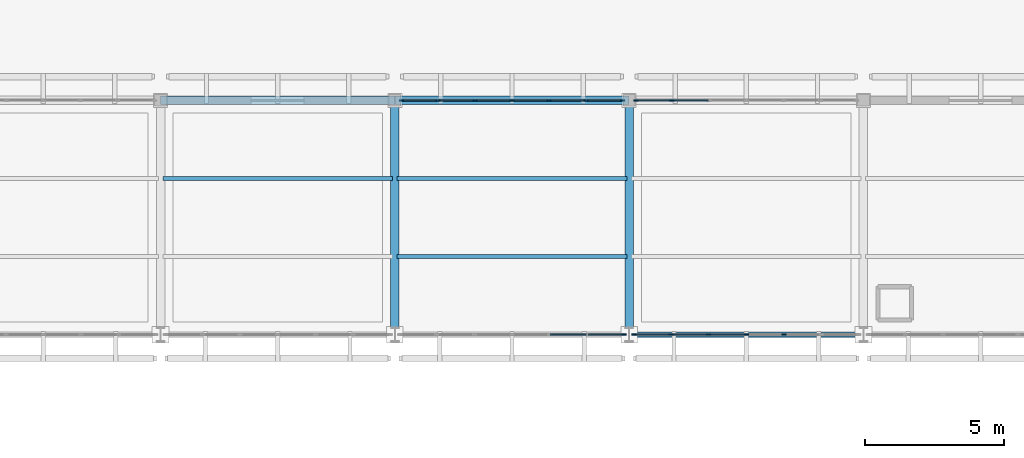
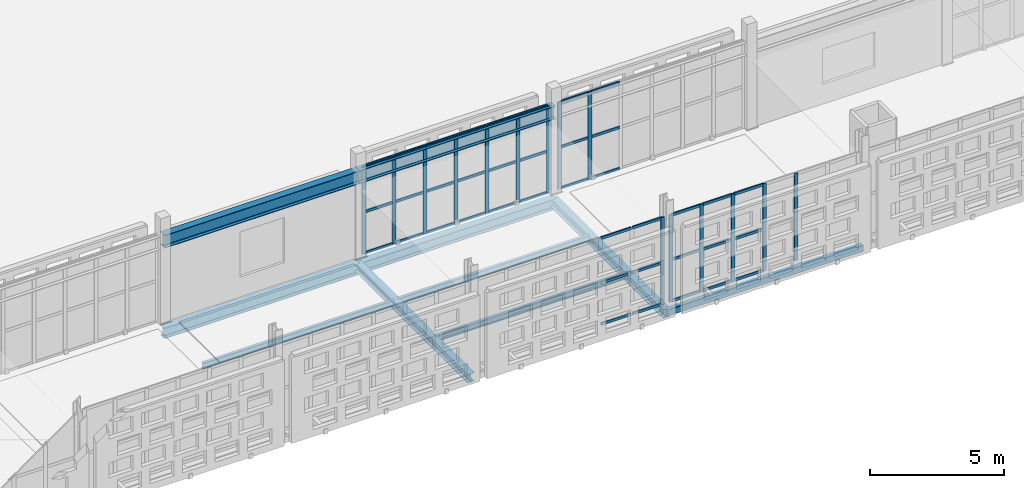
# One storey, part 54 of 203: 54 members, 10 beams, 4 elements without a shape of their own.
"""IFC4 building model written with IfcOpenShell, lengths in metres."""

import ifcopenshell
import ifcopenshell.guid

model = None  # the IFC model being written
_history = None  # IfcOwnerHistory: only IFC2X3 demands one
_inside = {}  # id of a spatial element -> (the spatial element, [elements in it])
_under = {}  # id of a project, library or spatial element -> (it, [spatial elements below it])
_declared = {}  # id of a project -> (the project, [libraries it declares])
_typed = {}  # id of a type object -> (the type object, [elements of that type])
_made_of = {}  # id of a material, layer set ... -> (it, [elements and type objects made of it])


def new_model(schema):
    """Start an empty IFC model of exactly this schema.

    Asked for "IFC4X3", IfcOpenShell would pick the latest addendum, in which some entities
    have other attributes; the version numbers below select the first issue.
    IFC2X3 requires an IfcOwnerHistory on every rooted entity: one is made here for all.
    """
    global model, _history
    if schema == "IFC4X3":
        model = ifcopenshell.file(schema_version=(4, 3, 0, 0))
    else:
        model = ifcopenshell.file(schema=schema)
    _inside.clear()
    _under.clear()
    _declared.clear()
    _typed.clear()
    _made_of.clear()
    _history = None
    if model.schema == "IFC2X3":
        org = make("IfcOrganization", Name="unknown")
        user = make(
            "IfcPersonAndOrganization",
            ThePerson=make("IfcPerson", FamilyName="unknown"),
            TheOrganization=org,
        )
        app = make(
            "IfcApplication",
            ApplicationDeveloper=org,
            Version="unknown",
            ApplicationFullName="unknown",
            ApplicationIdentifier="unknown",
        )
        _history = make(
            "IfcOwnerHistory",
            OwningUser=user,
            OwningApplication=app,
            ChangeAction="ADDED",
            CreationDate=0,
        )
    return model


def make(cls, **values):
    """One entity of the class cls with the attributes given. An attribute that is None is left unset."""
    return model.create_entity(
        cls, **{name: value for name, value in values.items() if value is not None}
    )


def rooted(cls, **values):
    """An entity with a GlobalId (a new one), such as an element, a storey or a relation."""
    return make(cls, GlobalId=ifcopenshell.guid.new(), OwnerHistory=_history, **values)


def si_unit(unit_type, name, prefix=None):
    """IfcSIUnit, for example si_unit("LENGTHUNIT", "METRE", prefix="MILLI")."""
    return make("IfcSIUnit", UnitType=unit_type, Prefix=prefix, Name=name)


def assignment(units):
    """IfcUnitAssignment: the units of a project."""
    return None if units is None else make("IfcUnitAssignment", Units=units)


def point(xyz):
    """IfcCartesianPoint."""
    return None if xyz is None else make("IfcCartesianPoint", Coordinates=xyz)


def direction(xyz):
    """IfcDirection."""
    return None if xyz is None else make("IfcDirection", DirectionRatios=xyz)


def frame(location, z_axis=None, x_axis=None):
    """IfcAxis2Placement3D, a coordinate frame: its origin and axes. An axis left out is left unset."""
    return make(
        "IfcAxis2Placement3D",
        Location=point(location),
        Axis=direction(z_axis),
        RefDirection=direction(x_axis),
    )


def frame_2d(location, x_axis=None):
    """IfcAxis2Placement2D, a coordinate frame in the plane: its origin and x axis."""
    return make(
        "IfcAxis2Placement2D", Location=point(location), RefDirection=direction(x_axis)
    )


def origin():
    """The frame at (0, 0, 0) with its axes left unset."""
    return frame((0.0, 0.0, 0.0))


def origin_2d():
    """The frame at (0, 0) in the plane with its x axis left unset."""
    return frame_2d((0.0, 0.0))


def place(relative_to, where):
    """IfcLocalPlacement: puts the frame where relative to a parent placement (None: the world)."""
    return make(
        "IfcLocalPlacement", PlacementRelTo=relative_to, RelativePlacement=where
    )


def context(
    kind, dimensions, precision=None, world=None, true_north=None, identifier=None
):
    """IfcGeometricRepresentationContext, for example the 3D "Model" context."""
    return make(
        "IfcGeometricRepresentationContext",
        ContextIdentifier=identifier,
        ContextType=kind,
        CoordinateSpaceDimension=dimensions,
        Precision=precision,
        WorldCoordinateSystem=world,
        TrueNorth=true_north,
    )


def subcontext(parent, identifier, kind, view, scale=None):
    """IfcGeometricRepresentationSubContext, for example "Body" below "Model"."""
    return make(
        "IfcGeometricRepresentationSubContext",
        ContextIdentifier=identifier,
        ContextType=kind,
        ParentContext=parent,
        TargetScale=scale,
        TargetView=view,
    )


def project(units=None, contexts=None):
    """IfcProject with its units and contexts."""
    return rooted(
        "IfcProject",
        Name="project",
        RepresentationContexts=contexts,
        UnitsInContext=assignment(units),
    )


def spatial(cls, under=None, at=None, **own):
    """A site, building, storey or space (cls), placed at a placement, below another one or the project."""
    s = rooted(cls, ObjectPlacement=at, **own)
    if under is not None:
        _under.setdefault(under.id(), (under, []))[1].append(s)
    return s


def profile(cls, at=None, kind="AREA", **sizes):
    """A parametric profile (cls). Its sizes go by their IFC names, for example OverallWidth=200.0."""
    return make(cls, ProfileType=kind, Position=at, **sizes)


def rectangle(**sizes):
    """IfcRectangleProfileDef."""
    return profile("IfcRectangleProfileDef", **sizes)


def hollow_rectangle(**sizes):
    """IfcRectangleHollowProfileDef."""
    return profile("IfcRectangleHollowProfileDef", **sizes)


def i_section(**sizes):
    """IfcIShapeProfileDef."""
    return profile("IfcIShapeProfileDef", **sizes)


def extrude(swept, where, along, depth):
    """IfcExtrudedAreaSolid: the profile swept, set in the frame where, extruded along a direction by depth."""
    return make(
        "IfcExtrudedAreaSolid",
        SweptArea=swept,
        Position=where,
        ExtrudedDirection=direction(along),
        Depth=depth,
    )


def shape(context_of_items, identifier, shape_type, items):
    """IfcShapeRepresentation: the items that make up one representation, for example the "Body"."""
    return make(
        "IfcShapeRepresentation",
        ContextOfItems=context_of_items,
        RepresentationIdentifier=identifier,
        RepresentationType=shape_type,
        Items=items,
    )


def material(Name=None, Category=None):
    """IfcMaterial."""
    return make("IfcMaterial", Name=Name, Category=Category)


def layer(
    of_material, thickness, ventilated=None, Name=None, Category=None, Priority=None
):
    """IfcMaterialLayer: one layer of a wall or slab, of a material (None: an air gap)."""
    return make(
        "IfcMaterialLayer",
        Material=of_material,
        LayerThickness=thickness,
        IsVentilated=ventilated,
        Name=Name,
        Category=Category,
        Priority=Priority,
    )


def layer_set(layers, Name=None):
    """IfcMaterialLayerSet."""
    return make("IfcMaterialLayerSet", MaterialLayers=layers, LayerSetName=Name)


def material_profile(
    of_material, cross_section, Name=None, Category=None, Priority=None
):
    """IfcMaterialProfile: a cross section and its material."""
    return make(
        "IfcMaterialProfile",
        Name=Name,
        Material=of_material,
        Profile=cross_section,
        Priority=Priority,
        Category=Category,
    )


def profile_set(profiles, Name=None, composite=None):
    """IfcMaterialProfileSet."""
    return make(
        "IfcMaterialProfileSet",
        Name=Name,
        MaterialProfiles=profiles,
        CompositeProfile=composite,
    )


def made_of(thing, what):
    """Note that an element or type object is made of a material, layer set ...; save() writes the relation."""
    if what is not None:
        _made_of.setdefault(what.id(), (what, []))[1].append(thing)
    return thing


def type_object(cls, material=None, **own):
    """A type object (cls), such as IfcWallType, which elements share."""
    return made_of(rooted(cls, **own), material)


def element(
    cls,
    number,
    at=None,
    inside=None,
    cuts=None,
    type_object=None,
    material=None,
    context=None,
    identifier="Body",
    shape_type=None,
    held_by="IfcProductDefinitionShape",
    body=None,
    shapes=None,
    **own,
):
    """One element of the class cls, such as IfcWall. Its Tag is "e" and its number.

    at: its placement. inside: the storey or other place that contains it. cuts: it is an
    opening in that element (IfcRelVoidsElement). A single representation is given by context,
    identifier, shape_type and body (its items); several are given by shapes. held_by: the class
    of the entity that holds the representations. save() writes the other relations.
    """
    e = rooted(cls, Tag="e%d" % number, ObjectPlacement=at, **own)
    if body is not None:
        shapes = [shape(context, identifier, shape_type, body)]
    if shapes is not None:
        e.Representation = make(held_by, Representations=shapes)
    if inside is not None:
        _inside.setdefault(inside.id(), (inside, []))[1].append(e)
    if cuts is not None:
        rooted(
            "IfcRelVoidsElement", RelatingBuildingElement=cuts, RelatedOpeningElement=e
        )
    if type_object is not None:
        _typed.setdefault(type_object.id(), (type_object, []))[1].append(e)
    return made_of(e, material)


def aggregate(whole, parts):
    """IfcRelAggregates: a whole, such as a stair, and the parts it consists of."""
    return rooted("IfcRelAggregates", RelatingObject=whole, RelatedObjects=parts)


def save(model, path):
    """Write the relations noted so far, then the file.

    IfcRelAggregates (storeys below a building ...), IfcRelContainedInSpatialStructure (elements
    in a storey), IfcRelDefinesByType, IfcRelAssociatesMaterial and IfcRelDeclares: one each for
    every whole, place, type object, material and project.
    """
    for whole, parts in _under.values():
        aggregate(whole, parts)
    for where, things in _inside.values():
        rooted(
            "IfcRelContainedInSpatialStructure",
            RelatedElements=things,
            RelatingStructure=where,
        )
    for kind, things in _typed.values():
        rooted("IfcRelDefinesByType", RelatedObjects=things, RelatingType=kind)
    for what, things in _made_of.values():
        rooted("IfcRelAssociatesMaterial", RelatedObjects=things, RelatingMaterial=what)
    for by, libraries in _declared.values():
        rooted("IfcRelDeclares", RelatingContext=by, RelatedDefinitions=libraries)
    model.write(path)


model = new_model("IFC4")

# Units and contexts
model_context = context("Model", 3, precision=1e-05, world=origin(), true_north=direction((0.0, 1.0)))
body_context = subcontext(model_context, "Body", "Model", "MODEL_VIEW")
ifc_project = project(units=[si_unit("LENGTHUNIT", "METRE"), si_unit("AREAUNIT", "SQUARE_METRE"), si_unit("VOLUMEUNIT", "CUBIC_METRE"), si_unit("PLANEANGLEUNIT", "RADIAN"), si_unit("MASSUNIT", "GRAM", prefix="KILO")], contexts=[model_context])

# Site, building, storey
site_placement = place(None, origin())
site = spatial("IfcSite", under=ifc_project, at=site_placement, CompositionType="ELEMENT")
building_placement = place(site_placement, origin())
building = spatial("IfcBuilding", under=site, at=building_placement, Name="Varnapada Polytechnic", CompositionType="ELEMENT")
storey_placement = place(building_placement, frame((0.0, 0.0, 4.800048828125)))
storey = spatial("IfcBuildingStorey", under=building, at=storey_placement, Name="L01", CompositionType="ELEMENT", Elevation=4.800048828125)

# Beams
ifc_material_1 = material(Name="Steel S355", Category="steel")
ifc_material_profile_1 = material_profile(ifc_material_1, i_section(OverallWidth=0.135009765625, OverallDepth=0.27001953125, WebThickness=0.006591796875, FlangeThickness=0.01025390625, FilletRadius=0.014892578125, at=origin_2d()), Name="IPE 270")
ifc_profile_set_1 = profile_set([ifc_material_profile_1], Name="Steel S355")
beam_type_1 = type_object("IfcBeamType", Name="Mezzanine heavy steel joist SJ-03 (IPE 270)", PredefinedType="JOIST", material=ifc_profile_set_1)
for number, where, z_axis, x_axis, name in (
    (1, (75.679931640625, 89.60009765625, -0.39501953125), (1.0, 0.0, 0.0), (0.0, 1.0, 0.0), "L01 floor joist 10/11.2"),
    (2, (84.080078125, 86.800048828125, -0.39501953125), (1.0, 0.0, 0.0), (0.0, 1.0, 0.0), "L01 floor joist 11/11.1"),
    (3, (84.080078125, 89.60009765625, -0.39501953125), (1.0, 0.0, 0.0), (0.0, 1.0, 0.0), "L01 floor joist 11/11.2"),
):
    element("IfcBeam", number, at=place(storey_placement, frame(where, z_axis=z_axis, x_axis=x_axis)), inside=storey, type_object=beam_type_1, Name=name, PredefinedType="JOIST", context=body_context, shape_type="SweptSolid", body=[
        extrude(i_section(OverallWidth=0.135009765625, OverallDepth=0.27001953125, WebThickness=0.006591796875, FlangeThickness=0.01025390625, FilletRadius=0.014892578125, at=origin_2d()), origin(), (0.0, 0.0, 1.0), 8.239990234375),
    ])

# Curtain wall, member
ifc_material_2 = material(Name="Double low-E laminated glass", Category="glass")
ifc_layer_1 = layer(ifc_material_2, 0.159912109375)
ifc_layer_set_1 = layer_set([ifc_layer_1], Name="Double low-E laminated glass")
curtain_wall_type_1 = type_object("IfcCurtainWallType", Name="Curtain Wall CW-01", PredefinedType="NOTDEFINED", material=ifc_layer_set_1)
curtain_wall_1_placement = place(storey_placement, origin())
curtain_wall_1 = element("IfcCurtainWall", 4, at=curtain_wall_1_placement, inside=storey, type_object=curtain_wall_type_1, Name="L01 unitised curtain wall CW-01 (71)", PredefinedType="NOTDEFINED")
ifc_material_3 = material(Name="Anodised aluminium", Category="aluminium")
ifc_material_profile_2 = material_profile(ifc_material_3, rectangle(XDim=0.06005859375, YDim=0.159912109375, at=origin_2d()), Name="ALU M60x160")
ifc_profile_set_2 = profile_set([ifc_material_profile_2], Name="Anodised aluminium")
member_type_1 = type_object("IfcMemberType", Name="Mullion M-01", PredefinedType="MULLION", material=ifc_profile_set_2)
member_1_placement = place(storey_placement, frame((92.219970703125, 84.0, 0.0), z_axis=(0.0, 0.0, 1.0), x_axis=(0.0, -1.0, 0.0)))
member_1 = element("IfcMember", 5, at=member_1_placement, type_object=member_type_1, Name="CW-01 mullion 1", PredefinedType="MULLION", context=body_context, shape_type="SweptSolid", body=[
    extrude(rectangle(XDim=0.06005859375, YDim=0.159912109375, at=origin_2d()), origin(), (0.0, 0.0, 1.0), 3.9599609375),
])

# Curtain wall, members
ifc_layer_2 = layer(ifc_material_2, 0.159912109375)
ifc_layer_set_2 = layer_set([ifc_layer_2], Name="Double low-E laminated glass")
curtain_wall_type_2 = type_object("IfcCurtainWallType", Name="Curtain Wall CW-02", PredefinedType="NOTDEFINED", material=ifc_layer_set_2)
curtain_wall_2_placement = place(storey_placement, origin())
curtain_wall_2 = element("IfcCurtainWall", 6, at=curtain_wall_2_placement, inside=storey, type_object=curtain_wall_type_2, Name="L01 unitised curtain wall CW-02 (72)", PredefinedType="NOTDEFINED")
member_2_placement = place(storey_placement, frame((84.239990234375, 92.39990234375, 0.0), z_axis=(0.0, 0.0, 1.0), x_axis=(0.0, 1.0, 0.0)))
member_2 = element("IfcMember", 7, at=member_2_placement, type_object=member_type_1, Name="CW-02 mullion 1", PredefinedType="MULLION", context=body_context, shape_type="SweptSolid", body=[
    extrude(rectangle(XDim=0.06005859375, YDim=0.159912109375, at=origin_2d()), origin(), (0.0, 0.0, 1.0), 3.9599609375),
])
member_3_placement = place(storey_placement, frame((85.5400390625, 92.39990234375, 0.0), z_axis=(0.0, 0.0, 1.0), x_axis=(0.0, 1.0, 0.0)))
member_3 = element("IfcMember", 8, at=member_3_placement, type_object=member_type_1, Name="CW-02 mullion 2", PredefinedType="MULLION", context=body_context, shape_type="SweptSolid", body=[
    extrude(rectangle(XDim=0.06005859375, YDim=0.159912109375, at=origin_2d()), origin(), (0.0, 0.0, 1.0), 3.9599609375),
])
member_4_placement = place(storey_placement, frame((86.8701171875, 92.39990234375, 0.0), z_axis=(0.0, 0.0, 1.0), x_axis=(0.0, 1.0, 0.0)))
member_4 = element("IfcMember", 9, at=member_4_placement, type_object=member_type_1, Name="CW-02 mullion 3", PredefinedType="MULLION", context=body_context, shape_type="SweptSolid", body=[
    extrude(rectangle(XDim=0.06005859375, YDim=0.159912109375, at=origin_2d()), origin(), (0.0, 0.0, 1.0), 3.9599609375),
])
member_5_placement = place(storey_placement, frame((88.199951171875, 92.39990234375, 0.0), z_axis=(0.0, 0.0, 1.0), x_axis=(0.0, 1.0, 0.0)))
member_5 = element("IfcMember", 10, at=member_5_placement, type_object=member_type_1, Name="CW-02 mullion 4", PredefinedType="MULLION", context=body_context, shape_type="SweptSolid", body=[
    extrude(rectangle(XDim=0.06005859375, YDim=0.159912109375, at=origin_2d()), origin(), (0.0, 0.0, 1.0), 3.9599609375),
])
member_6_placement = place(storey_placement, frame((89.530029296875, 92.39990234375, 0.0), z_axis=(0.0, 0.0, 1.0), x_axis=(0.0, 1.0, 0.0)))
member_6 = element("IfcMember", 11, at=member_6_placement, type_object=member_type_1, Name="CW-02 mullion 5", PredefinedType="MULLION", context=body_context, shape_type="SweptSolid", body=[
    extrude(rectangle(XDim=0.06005859375, YDim=0.159912109375, at=origin_2d()), origin(), (0.0, 0.0, 1.0), 3.9599609375),
])
member_7_placement = place(storey_placement, frame((90.860107421875, 92.39990234375, 0.0), z_axis=(0.0, 0.0, 1.0), x_axis=(0.0, 1.0, 0.0)))
member_7 = element("IfcMember", 12, at=member_7_placement, type_object=member_type_1, Name="CW-02 mullion 6", PredefinedType="MULLION", context=body_context, shape_type="SweptSolid", body=[
    extrude(rectangle(XDim=0.06005859375, YDim=0.159912109375, at=origin_2d()), origin(), (0.0, 0.0, 1.0), 3.9599609375),
])
member_8_placement = place(storey_placement, frame((92.159912109375, 92.39990234375, 0.0), z_axis=(0.0, 0.0, 1.0), x_axis=(0.0, 1.0, 0.0)))
member_8 = element("IfcMember", 13, at=member_8_placement, type_object=member_type_1, Name="CW-02 mullion 7", PredefinedType="MULLION", context=body_context, shape_type="SweptSolid", body=[
    extrude(rectangle(XDim=0.06005859375, YDim=0.159912109375, at=origin_2d()), origin(), (0.0, 0.0, 1.0), 3.9599609375),
])

curtain_wall_3_placement = place(storey_placement, origin())
curtain_wall_3 = element("IfcCurtainWall", 14, at=curtain_wall_3_placement, inside=storey, type_object=curtain_wall_type_1, Name="L01 unitised curtain wall CW-01 (76)", PredefinedType="NOTDEFINED")
member_9_placement = place(storey_placement, frame((97.949951171875, 84.0, 0.0), z_axis=(0.0, 0.0, 1.0), x_axis=(0.0, -1.0, 0.0)))
member_9 = element("IfcMember", 15, at=member_9_placement, type_object=member_type_1, Name="CW-01 mullion 3", PredefinedType="MULLION", context=body_context, shape_type="SweptSolid", body=[
    extrude(rectangle(XDim=0.06005859375, YDim=0.159912109375, at=origin_2d()), origin(), (0.0, 0.0, 1.0), 3.9599609375),
])
member_10_placement = place(storey_placement, frame((96.60009765625, 84.0, 0.0), z_axis=(0.0, 0.0, 1.0), x_axis=(0.0, -1.0, 0.0)))
member_10 = element("IfcMember", 16, at=member_10_placement, type_object=member_type_1, Name="CW-01 mullion 4", PredefinedType="MULLION", context=body_context, shape_type="SweptSolid", body=[
    extrude(rectangle(XDim=0.06005859375, YDim=0.159912109375, at=origin_2d()), origin(), (0.0, 0.0, 1.0), 3.9599609375),
])
member_11_placement = place(storey_placement, frame((95.25, 84.0, 0.0), z_axis=(0.0, 0.0, 1.0), x_axis=(0.0, -1.0, 0.0)))
member_11 = element("IfcMember", 17, at=member_11_placement, type_object=member_type_1, Name="CW-01 mullion 5", PredefinedType="MULLION", context=body_context, shape_type="SweptSolid", body=[
    extrude(rectangle(XDim=0.06005859375, YDim=0.159912109375, at=origin_2d()), origin(), (0.0, 0.0, 1.0), 3.9599609375),
])
member_12_placement = place(storey_placement, frame((93.89990234375, 84.0, 0.0), z_axis=(0.0, 0.0, 1.0), x_axis=(0.0, -1.0, 0.0)))
member_12 = element("IfcMember", 18, at=member_12_placement, type_object=member_type_1, Name="CW-01 mullion 6", PredefinedType="MULLION", context=body_context, shape_type="SweptSolid", body=[
    extrude(rectangle(XDim=0.06005859375, YDim=0.159912109375, at=origin_2d()), origin(), (0.0, 0.0, 1.0), 3.9599609375),
])
member_13_placement = place(storey_placement, frame((92.580078125, 84.0, 0.0), z_axis=(0.0, 0.0, 1.0), x_axis=(0.0, -1.0, 0.0)))
member_13 = element("IfcMember", 19, at=member_13_placement, type_object=member_type_1, Name="CW-01 mullion 7", PredefinedType="MULLION", context=body_context, shape_type="SweptSolid", body=[
    extrude(rectangle(XDim=0.06005859375, YDim=0.159912109375, at=origin_2d()), origin(), (0.0, 0.0, 1.0), 3.9599609375),
])

curtain_wall_4_placement = place(storey_placement, origin())
curtain_wall_4 = element("IfcCurtainWall", 20, at=curtain_wall_4_placement, inside=storey, type_object=curtain_wall_type_2, Name="L01 unitised curtain wall CW-02 (77)", PredefinedType="NOTDEFINED")
member_14_placement = place(storey_placement, frame((92.639892578125, 92.39990234375, 0.0), z_axis=(0.0, 0.0, 1.0), x_axis=(0.0, 1.0, 0.0)))
member_14 = element("IfcMember", 21, at=member_14_placement, type_object=member_type_1, Name="CW-02 mullion 1", PredefinedType="MULLION", context=body_context, shape_type="SweptSolid", body=[
    extrude(rectangle(XDim=0.06005859375, YDim=0.159912109375, at=origin_2d()), origin(), (0.0, 0.0, 1.0), 3.9599609375),
])
member_15_placement = place(storey_placement, frame((93.93994140625, 92.39990234375, 0.0), z_axis=(0.0, 0.0, 1.0), x_axis=(0.0, 1.0, 0.0)))
member_15 = element("IfcMember", 22, at=member_15_placement, type_object=member_type_1, Name="CW-02 mullion 2", PredefinedType="MULLION", context=body_context, shape_type="SweptSolid", body=[
    extrude(rectangle(XDim=0.06005859375, YDim=0.159912109375, at=origin_2d()), origin(), (0.0, 0.0, 1.0), 3.9599609375),
])

# Beams
ifc_material_profile_3 = material_profile(ifc_material_1, i_section(OverallWidth=0.300048828125, OverallDepth=0.389892578125, WebThickness=0.010986328125, FlangeThickness=0.01904296875, FilletRadius=0.027099609375, at=origin_2d()), Name="HEA 400")
ifc_profile_set_3 = profile_set([ifc_material_profile_3], Name="Steel S355")
beam_type_2 = type_object("IfcBeamType", Name="Steel roof primary girder SG-01 (HEA 400)", PredefinedType="BEAM", material=ifc_profile_set_3)
for number, where, z_axis, x_axis, name in (
    (23, (84.0, 84.0, -0.465087890625), (0.0, 1.0, 0.0), (-1.0, 0.0, 0.0), "L01 beam Y 11-12 at X11"),
    (24, (92.39990234375, 84.0, -0.465087890625), (0.0, 1.0, 0.0), (-1.0, 0.0, 0.0), "L01 beam Y 11-12 at X12"),
):
    element("IfcBeam", number, at=place(storey_placement, frame(where, z_axis=z_axis, x_axis=x_axis)), inside=storey, type_object=beam_type_2, Name=name, PredefinedType="BEAM", context=body_context, shape_type="SweptSolid", body=[
        extrude(i_section(OverallWidth=0.300048828125, OverallDepth=0.389892578125, WebThickness=0.010986328125, FlangeThickness=0.01904296875, FilletRadius=0.027099609375, at=origin_2d()), origin(), (0.0, 0.0, 1.0), 8.39990234375),
    ])

# Member
ifc_material_profile_4 = material_profile(ifc_material_3, rectangle(XDim=0.06005859375, YDim=0.1201171875, at=origin_2d()), Name="ALU T60x120")
ifc_profile_set_4 = profile_set([ifc_material_profile_4], Name="Anodised aluminium")
member_type_2 = type_object("IfcMemberType", Name="Transom T-01", PredefinedType="USERDEFINED", material=ifc_profile_set_4)
member_16_placement = place(storey_placement, frame((92.18994140625, 84.0, 0.030029296875), z_axis=(-1.0, 0.0, 0.0), x_axis=(0.0, -1.0, 0.0)))
member_16 = element("IfcMember", 25, at=member_16_placement, type_object=member_type_2, Name="CW-01 transom 1.1", ObjectType="TRANSOM", PredefinedType="USERDEFINED", context=body_context, shape_type="SweptSolid", body=[
    extrude(rectangle(XDim=0.06005859375, YDim=0.1201171875, at=origin_2d()), origin(), (0.0, 0.0, 1.0), 1.260009765625),
])

member_17_placement = place(storey_placement, frame((92.18994140625, 84.0, 1.900634765625), z_axis=(-1.0, 0.0, 0.0), x_axis=(0.0, -1.0, 0.0)))
member_17 = element("IfcMember", 26, at=member_17_placement, type_object=member_type_2, Name="CW-01 transom 1.2", ObjectType="TRANSOM", PredefinedType="USERDEFINED", context=body_context, shape_type="SweptSolid", body=[
    extrude(rectangle(XDim=0.06005859375, YDim=0.1201171875, at=origin_2d()), origin(), (0.0, 0.0, 1.0), 1.260009765625),
])

member_18_placement = place(storey_placement, frame((92.18994140625, 84.0, 3.929931640625), z_axis=(-1.0, 0.0, 0.0), x_axis=(0.0, -1.0, 0.0)))
member_18 = element("IfcMember", 27, at=member_18_placement, type_object=member_type_2, Name="CW-01 transom 1.3", ObjectType="TRANSOM", PredefinedType="USERDEFINED", context=body_context, shape_type="SweptSolid", body=[
    extrude(rectangle(XDim=0.06005859375, YDim=0.1201171875, at=origin_2d()), origin(), (0.0, 0.0, 1.0), 1.260009765625),
])

member_19_placement = place(storey_placement, frame((90.8701171875, 84.0, 0.030029296875), z_axis=(-1.0, 0.0, 0.0), x_axis=(0.0, -1.0, 0.0)))
member_19 = element("IfcMember", 28, at=member_19_placement, type_object=member_type_2, Name="CW-01 transom 2.1", ObjectType="TRANSOM", PredefinedType="USERDEFINED", context=body_context, shape_type="SweptSolid", body=[
    extrude(rectangle(XDim=0.06005859375, YDim=0.1201171875, at=origin_2d()), origin(), (0.0, 0.0, 1.0), 1.2900390625),
])

member_20_placement = place(storey_placement, frame((90.8701171875, 84.0, 1.900634765625), z_axis=(-1.0, 0.0, 0.0), x_axis=(0.0, -1.0, 0.0)))
member_20 = element("IfcMember", 29, at=member_20_placement, type_object=member_type_2, Name="CW-01 transom 2.2", ObjectType="TRANSOM", PredefinedType="USERDEFINED", context=body_context, shape_type="SweptSolid", body=[
    extrude(rectangle(XDim=0.06005859375, YDim=0.1201171875, at=origin_2d()), origin(), (0.0, 0.0, 1.0), 1.2900390625),
])

member_21_placement = place(storey_placement, frame((90.8701171875, 84.0, 3.929931640625), z_axis=(-1.0, 0.0, 0.0), x_axis=(0.0, -1.0, 0.0)))
member_21 = element("IfcMember", 30, at=member_21_placement, type_object=member_type_2, Name="CW-01 transom 2.3", ObjectType="TRANSOM", PredefinedType="USERDEFINED", context=body_context, shape_type="SweptSolid", body=[
    extrude(rectangle(XDim=0.06005859375, YDim=0.1201171875, at=origin_2d()), origin(), (0.0, 0.0, 1.0), 1.2900390625),
])

aggregate(curtain_wall_1, [member_1, member_16, member_17, member_18, member_19, member_20, member_21])

member_22_placement = place(storey_placement, frame((84.27001953125, 92.39990234375, 0.030029296875), z_axis=(1.0, 0.0, 0.0), x_axis=(0.0, 1.0, 0.0)))
member_22 = element("IfcMember", 31, at=member_22_placement, type_object=member_type_2, Name="CW-02 transom 1.1", ObjectType="TRANSOM", PredefinedType="USERDEFINED", context=body_context, shape_type="SweptSolid", body=[
    extrude(rectangle(XDim=0.06005859375, YDim=0.1201171875, at=origin_2d()), origin(), (0.0, 0.0, 1.0), 1.239990234375),
])

member_23_placement = place(storey_placement, frame((84.27001953125, 92.39990234375, 1.900634765625), z_axis=(1.0, 0.0, 0.0), x_axis=(0.0, 1.0, 0.0)))
member_23 = element("IfcMember", 32, at=member_23_placement, type_object=member_type_2, Name="CW-02 transom 1.2", ObjectType="TRANSOM", PredefinedType="USERDEFINED", context=body_context, shape_type="SweptSolid", body=[
    extrude(rectangle(XDim=0.06005859375, YDim=0.1201171875, at=origin_2d()), origin(), (0.0, 0.0, 1.0), 1.239990234375),
])

member_24_placement = place(storey_placement, frame((84.27001953125, 92.39990234375, 3.929931640625), z_axis=(1.0, 0.0, 0.0), x_axis=(0.0, 1.0, 0.0)))
member_24 = element("IfcMember", 33, at=member_24_placement, type_object=member_type_2, Name="CW-02 transom 1.3", ObjectType="TRANSOM", PredefinedType="USERDEFINED", context=body_context, shape_type="SweptSolid", body=[
    extrude(rectangle(XDim=0.06005859375, YDim=0.1201171875, at=origin_2d()), origin(), (0.0, 0.0, 1.0), 1.239990234375),
])

member_25_placement = place(storey_placement, frame((85.570068359375, 92.39990234375, 0.030029296875), z_axis=(1.0, 0.0, 0.0), x_axis=(0.0, 1.0, 0.0)))
member_25 = element("IfcMember", 34, at=member_25_placement, type_object=member_type_2, Name="CW-02 transom 2.1", ObjectType="TRANSOM", PredefinedType="USERDEFINED", context=body_context, shape_type="SweptSolid", body=[
    extrude(rectangle(XDim=0.06005859375, YDim=0.1201171875, at=origin_2d()), origin(), (0.0, 0.0, 1.0), 1.27001953125),
])

member_26_placement = place(storey_placement, frame((85.570068359375, 92.39990234375, 1.900634765625), z_axis=(1.0, 0.0, 0.0), x_axis=(0.0, 1.0, 0.0)))
member_26 = element("IfcMember", 35, at=member_26_placement, type_object=member_type_2, Name="CW-02 transom 2.2", ObjectType="TRANSOM", PredefinedType="USERDEFINED", context=body_context, shape_type="SweptSolid", body=[
    extrude(rectangle(XDim=0.06005859375, YDim=0.1201171875, at=origin_2d()), origin(), (0.0, 0.0, 1.0), 1.27001953125),
])

member_27_placement = place(storey_placement, frame((85.570068359375, 92.39990234375, 3.929931640625), z_axis=(1.0, 0.0, 0.0), x_axis=(0.0, 1.0, 0.0)))
member_27 = element("IfcMember", 36, at=member_27_placement, type_object=member_type_2, Name="CW-02 transom 2.3", ObjectType="TRANSOM", PredefinedType="USERDEFINED", context=body_context, shape_type="SweptSolid", body=[
    extrude(rectangle(XDim=0.06005859375, YDim=0.1201171875, at=origin_2d()), origin(), (0.0, 0.0, 1.0), 1.27001953125),
])

member_28_placement = place(storey_placement, frame((86.89990234375, 92.39990234375, 0.030029296875), z_axis=(1.0, 0.0, 0.0), x_axis=(0.0, 1.0, 0.0)))
member_28 = element("IfcMember", 37, at=member_28_placement, type_object=member_type_2, Name="CW-02 transom 3.1", ObjectType="TRANSOM", PredefinedType="USERDEFINED", context=body_context, shape_type="SweptSolid", body=[
    extrude(rectangle(XDim=0.06005859375, YDim=0.1201171875, at=origin_2d()), origin(), (0.0, 0.0, 1.0), 1.27001953125),
])

member_29_placement = place(storey_placement, frame((86.89990234375, 92.39990234375, 1.900634765625), z_axis=(1.0, 0.0, 0.0), x_axis=(0.0, 1.0, 0.0)))
member_29 = element("IfcMember", 38, at=member_29_placement, type_object=member_type_2, Name="CW-02 transom 3.2", ObjectType="TRANSOM", PredefinedType="USERDEFINED", context=body_context, shape_type="SweptSolid", body=[
    extrude(rectangle(XDim=0.06005859375, YDim=0.1201171875, at=origin_2d()), origin(), (0.0, 0.0, 1.0), 1.27001953125),
])

member_30_placement = place(storey_placement, frame((86.89990234375, 92.39990234375, 3.929931640625), z_axis=(1.0, 0.0, 0.0), x_axis=(0.0, 1.0, 0.0)))
member_30 = element("IfcMember", 39, at=member_30_placement, type_object=member_type_2, Name="CW-02 transom 3.3", ObjectType="TRANSOM", PredefinedType="USERDEFINED", context=body_context, shape_type="SweptSolid", body=[
    extrude(rectangle(XDim=0.06005859375, YDim=0.1201171875, at=origin_2d()), origin(), (0.0, 0.0, 1.0), 1.27001953125),
])

member_31_placement = place(storey_placement, frame((88.22998046875, 92.39990234375, 0.030029296875), z_axis=(1.0, 0.0, 0.0), x_axis=(0.0, 1.0, 0.0)))
member_31 = element("IfcMember", 40, at=member_31_placement, type_object=member_type_2, Name="CW-02 transom 4.1", ObjectType="TRANSOM", PredefinedType="USERDEFINED", context=body_context, shape_type="SweptSolid", body=[
    extrude(rectangle(XDim=0.06005859375, YDim=0.1201171875, at=origin_2d()), origin(), (0.0, 0.0, 1.0), 1.27001953125),
])

member_32_placement = place(storey_placement, frame((88.22998046875, 92.39990234375, 1.900634765625), z_axis=(1.0, 0.0, 0.0), x_axis=(0.0, 1.0, 0.0)))
member_32 = element("IfcMember", 41, at=member_32_placement, type_object=member_type_2, Name="CW-02 transom 4.2", ObjectType="TRANSOM", PredefinedType="USERDEFINED", context=body_context, shape_type="SweptSolid", body=[
    extrude(rectangle(XDim=0.06005859375, YDim=0.1201171875, at=origin_2d()), origin(), (0.0, 0.0, 1.0), 1.27001953125),
])

member_33_placement = place(storey_placement, frame((88.22998046875, 92.39990234375, 3.929931640625), z_axis=(1.0, 0.0, 0.0), x_axis=(0.0, 1.0, 0.0)))
member_33 = element("IfcMember", 42, at=member_33_placement, type_object=member_type_2, Name="CW-02 transom 4.3", ObjectType="TRANSOM", PredefinedType="USERDEFINED", context=body_context, shape_type="SweptSolid", body=[
    extrude(rectangle(XDim=0.06005859375, YDim=0.1201171875, at=origin_2d()), origin(), (0.0, 0.0, 1.0), 1.27001953125),
])

member_34_placement = place(storey_placement, frame((89.56005859375, 92.39990234375, 0.030029296875), z_axis=(1.0, 0.0, 0.0), x_axis=(0.0, 1.0, 0.0)))
member_34 = element("IfcMember", 43, at=member_34_placement, type_object=member_type_2, Name="CW-02 transom 5.1", ObjectType="TRANSOM", PredefinedType="USERDEFINED", context=body_context, shape_type="SweptSolid", body=[
    extrude(rectangle(XDim=0.06005859375, YDim=0.1201171875, at=origin_2d()), origin(), (0.0, 0.0, 1.0), 1.27001953125),
])

member_35_placement = place(storey_placement, frame((89.56005859375, 92.39990234375, 1.900634765625), z_axis=(1.0, 0.0, 0.0), x_axis=(0.0, 1.0, 0.0)))
member_35 = element("IfcMember", 44, at=member_35_placement, type_object=member_type_2, Name="CW-02 transom 5.2", ObjectType="TRANSOM", PredefinedType="USERDEFINED", context=body_context, shape_type="SweptSolid", body=[
    extrude(rectangle(XDim=0.06005859375, YDim=0.1201171875, at=origin_2d()), origin(), (0.0, 0.0, 1.0), 1.27001953125),
])

member_36_placement = place(storey_placement, frame((89.56005859375, 92.39990234375, 3.929931640625), z_axis=(1.0, 0.0, 0.0), x_axis=(0.0, 1.0, 0.0)))
member_36 = element("IfcMember", 45, at=member_36_placement, type_object=member_type_2, Name="CW-02 transom 5.3", ObjectType="TRANSOM", PredefinedType="USERDEFINED", context=body_context, shape_type="SweptSolid", body=[
    extrude(rectangle(XDim=0.06005859375, YDim=0.1201171875, at=origin_2d()), origin(), (0.0, 0.0, 1.0), 1.27001953125),
])

member_37_placement = place(storey_placement, frame((90.889892578125, 92.39990234375, 0.030029296875), z_axis=(1.0, 0.0, 0.0), x_axis=(0.0, 1.0, 0.0)))
member_37 = element("IfcMember", 46, at=member_37_placement, type_object=member_type_2, Name="CW-02 transom 6.1", ObjectType="TRANSOM", PredefinedType="USERDEFINED", context=body_context, shape_type="SweptSolid", body=[
    extrude(rectangle(XDim=0.06005859375, YDim=0.1201171875, at=origin_2d()), origin(), (0.0, 0.0, 1.0), 1.239990234375),
])

member_38_placement = place(storey_placement, frame((90.889892578125, 92.39990234375, 1.900634765625), z_axis=(1.0, 0.0, 0.0), x_axis=(0.0, 1.0, 0.0)))
member_38 = element("IfcMember", 47, at=member_38_placement, type_object=member_type_2, Name="CW-02 transom 6.2", ObjectType="TRANSOM", PredefinedType="USERDEFINED", context=body_context, shape_type="SweptSolid", body=[
    extrude(rectangle(XDim=0.06005859375, YDim=0.1201171875, at=origin_2d()), origin(), (0.0, 0.0, 1.0), 1.239990234375),
])

member_39_placement = place(storey_placement, frame((90.889892578125, 92.39990234375, 3.929931640625), z_axis=(1.0, 0.0, 0.0), x_axis=(0.0, 1.0, 0.0)))
member_39 = element("IfcMember", 48, at=member_39_placement, type_object=member_type_2, Name="CW-02 transom 6.3", ObjectType="TRANSOM", PredefinedType="USERDEFINED", context=body_context, shape_type="SweptSolid", body=[
    extrude(rectangle(XDim=0.06005859375, YDim=0.1201171875, at=origin_2d()), origin(), (0.0, 0.0, 1.0), 1.239990234375),
])

aggregate(curtain_wall_2, [member_2, member_3, member_4, member_5, member_6, member_7, member_8, member_22, member_23, member_24, member_25, member_26, member_27, member_28, member_29, member_30, member_31, member_32, member_33, member_34, member_35, member_36, member_37, member_38, member_39])

member_40_placement = place(storey_placement, frame((96.570068359375, 84.0, 0.030029296875), z_axis=(-1.0, 0.0, 0.0), x_axis=(0.0, -1.0, 0.0)))
member_40 = element("IfcMember", 49, at=member_40_placement, type_object=member_type_2, Name="CW-01 transom 4.1", ObjectType="TRANSOM", PredefinedType="USERDEFINED", context=body_context, shape_type="SweptSolid", body=[
    extrude(rectangle(XDim=0.06005859375, YDim=0.1201171875, at=origin_2d()), origin(), (0.0, 0.0, 1.0), 1.2900390625),
])

member_41_placement = place(storey_placement, frame((96.570068359375, 84.0, 1.900634765625), z_axis=(-1.0, 0.0, 0.0), x_axis=(0.0, -1.0, 0.0)))
member_41 = element("IfcMember", 50, at=member_41_placement, type_object=member_type_2, Name="CW-01 transom 4.2", ObjectType="TRANSOM", PredefinedType="USERDEFINED", context=body_context, shape_type="SweptSolid", body=[
    extrude(rectangle(XDim=0.06005859375, YDim=0.1201171875, at=origin_2d()), origin(), (0.0, 0.0, 1.0), 1.2900390625),
])

member_42_placement = place(storey_placement, frame((96.570068359375, 84.0, 3.929931640625), z_axis=(-1.0, 0.0, 0.0), x_axis=(0.0, -1.0, 0.0)))
member_42 = element("IfcMember", 51, at=member_42_placement, type_object=member_type_2, Name="CW-01 transom 4.3", ObjectType="TRANSOM", PredefinedType="USERDEFINED", context=body_context, shape_type="SweptSolid", body=[
    extrude(rectangle(XDim=0.06005859375, YDim=0.1201171875, at=origin_2d()), origin(), (0.0, 0.0, 1.0), 1.2900390625),
])

member_43_placement = place(storey_placement, frame((95.219970703125, 84.0, 0.030029296875), z_axis=(-1.0, 0.0, 0.0), x_axis=(0.0, -1.0, 0.0)))
member_43 = element("IfcMember", 52, at=member_43_placement, type_object=member_type_2, Name="CW-01 transom 5.1", ObjectType="TRANSOM", PredefinedType="USERDEFINED", context=body_context, shape_type="SweptSolid", body=[
    extrude(rectangle(XDim=0.06005859375, YDim=0.1201171875, at=origin_2d()), origin(), (0.0, 0.0, 1.0), 1.2900390625),
])

member_44_placement = place(storey_placement, frame((95.219970703125, 84.0, 1.900634765625), z_axis=(-1.0, 0.0, 0.0), x_axis=(0.0, -1.0, 0.0)))
member_44 = element("IfcMember", 53, at=member_44_placement, type_object=member_type_2, Name="CW-01 transom 5.2", ObjectType="TRANSOM", PredefinedType="USERDEFINED", context=body_context, shape_type="SweptSolid", body=[
    extrude(rectangle(XDim=0.06005859375, YDim=0.1201171875, at=origin_2d()), origin(), (0.0, 0.0, 1.0), 1.2900390625),
])

member_45_placement = place(storey_placement, frame((95.219970703125, 84.0, 3.929931640625), z_axis=(-1.0, 0.0, 0.0), x_axis=(0.0, -1.0, 0.0)))
member_45 = element("IfcMember", 54, at=member_45_placement, type_object=member_type_2, Name="CW-01 transom 5.3", ObjectType="TRANSOM", PredefinedType="USERDEFINED", context=body_context, shape_type="SweptSolid", body=[
    extrude(rectangle(XDim=0.06005859375, YDim=0.1201171875, at=origin_2d()), origin(), (0.0, 0.0, 1.0), 1.2900390625),
])

member_46_placement = place(storey_placement, frame((93.8701171875, 84.0, 0.030029296875), z_axis=(-1.0, 0.0, 0.0), x_axis=(0.0, -1.0, 0.0)))
member_46 = element("IfcMember", 55, at=member_46_placement, type_object=member_type_2, Name="CW-01 transom 6.1", ObjectType="TRANSOM", PredefinedType="USERDEFINED", context=body_context, shape_type="SweptSolid", body=[
    extrude(rectangle(XDim=0.06005859375, YDim=0.1201171875, at=origin_2d()), origin(), (0.0, 0.0, 1.0), 1.260009765625),
])

member_47_placement = place(storey_placement, frame((93.8701171875, 84.0, 1.900634765625), z_axis=(-1.0, 0.0, 0.0), x_axis=(0.0, -1.0, 0.0)))
member_47 = element("IfcMember", 56, at=member_47_placement, type_object=member_type_2, Name="CW-01 transom 6.2", ObjectType="TRANSOM", PredefinedType="USERDEFINED", context=body_context, shape_type="SweptSolid", body=[
    extrude(rectangle(XDim=0.06005859375, YDim=0.1201171875, at=origin_2d()), origin(), (0.0, 0.0, 1.0), 1.260009765625),
])

member_48_placement = place(storey_placement, frame((93.8701171875, 84.0, 3.929931640625), z_axis=(-1.0, 0.0, 0.0), x_axis=(0.0, -1.0, 0.0)))
member_48 = element("IfcMember", 57, at=member_48_placement, type_object=member_type_2, Name="CW-01 transom 6.3", ObjectType="TRANSOM", PredefinedType="USERDEFINED", context=body_context, shape_type="SweptSolid", body=[
    extrude(rectangle(XDim=0.06005859375, YDim=0.1201171875, at=origin_2d()), origin(), (0.0, 0.0, 1.0), 1.260009765625),
])

aggregate(curtain_wall_3, [member_9, member_10, member_11, member_12, member_13, member_40, member_41, member_42, member_43, member_44, member_45, member_46, member_47, member_48])

member_49_placement = place(storey_placement, frame((92.669921875, 92.39990234375, 0.030029296875), z_axis=(1.0, 0.0, 0.0), x_axis=(0.0, 1.0, 0.0)))
member_49 = element("IfcMember", 58, at=member_49_placement, type_object=member_type_2, Name="CW-02 transom 1.1", ObjectType="TRANSOM", PredefinedType="USERDEFINED", context=body_context, shape_type="SweptSolid", body=[
    extrude(rectangle(XDim=0.06005859375, YDim=0.1201171875, at=origin_2d()), origin(), (0.0, 0.0, 1.0), 1.239990234375),
])

member_50_placement = place(storey_placement, frame((92.669921875, 92.39990234375, 1.900634765625), z_axis=(1.0, 0.0, 0.0), x_axis=(0.0, 1.0, 0.0)))
member_50 = element("IfcMember", 59, at=member_50_placement, type_object=member_type_2, Name="CW-02 transom 1.2", ObjectType="TRANSOM", PredefinedType="USERDEFINED", context=body_context, shape_type="SweptSolid", body=[
    extrude(rectangle(XDim=0.06005859375, YDim=0.1201171875, at=origin_2d()), origin(), (0.0, 0.0, 1.0), 1.239990234375),
])

member_51_placement = place(storey_placement, frame((92.669921875, 92.39990234375, 3.929931640625), z_axis=(1.0, 0.0, 0.0), x_axis=(0.0, 1.0, 0.0)))
member_51 = element("IfcMember", 60, at=member_51_placement, type_object=member_type_2, Name="CW-02 transom 1.3", ObjectType="TRANSOM", PredefinedType="USERDEFINED", context=body_context, shape_type="SweptSolid", body=[
    extrude(rectangle(XDim=0.06005859375, YDim=0.1201171875, at=origin_2d()), origin(), (0.0, 0.0, 1.0), 1.239990234375),
])

member_52_placement = place(storey_placement, frame((93.969970703125, 92.39990234375, 0.030029296875), z_axis=(1.0, 0.0, 0.0), x_axis=(0.0, 1.0, 0.0)))
member_52 = element("IfcMember", 61, at=member_52_placement, type_object=member_type_2, Name="CW-02 transom 2.1", ObjectType="TRANSOM", PredefinedType="USERDEFINED", context=body_context, shape_type="SweptSolid", body=[
    extrude(rectangle(XDim=0.06005859375, YDim=0.1201171875, at=origin_2d()), origin(), (0.0, 0.0, 1.0), 1.27001953125),
])

member_53_placement = place(storey_placement, frame((93.969970703125, 92.39990234375, 1.900634765625), z_axis=(1.0, 0.0, 0.0), x_axis=(0.0, 1.0, 0.0)))
member_53 = element("IfcMember", 62, at=member_53_placement, type_object=member_type_2, Name="CW-02 transom 2.2", ObjectType="TRANSOM", PredefinedType="USERDEFINED", context=body_context, shape_type="SweptSolid", body=[
    extrude(rectangle(XDim=0.06005859375, YDim=0.1201171875, at=origin_2d()), origin(), (0.0, 0.0, 1.0), 1.27001953125),
])

member_54_placement = place(storey_placement, frame((93.969970703125, 92.39990234375, 3.929931640625), z_axis=(1.0, 0.0, 0.0), x_axis=(0.0, 1.0, 0.0)))
member_54 = element("IfcMember", 63, at=member_54_placement, type_object=member_type_2, Name="CW-02 transom 2.3", ObjectType="TRANSOM", PredefinedType="USERDEFINED", context=body_context, shape_type="SweptSolid", body=[
    extrude(rectangle(XDim=0.06005859375, YDim=0.1201171875, at=origin_2d()), origin(), (0.0, 0.0, 1.0), 1.27001953125),
])

aggregate(curtain_wall_4, [member_14, member_15, member_49, member_50, member_51, member_52, member_53, member_54])

# Beams
ifc_material_profile_5 = material_profile(ifc_material_1, i_section(OverallWidth=0.300048828125, OverallDepth=0.590087890625, WebThickness=0.012939453125, FlangeThickness=0.02490234375, FilletRadius=0.027099609375, at=origin_2d()), Name="HEA 600")
ifc_profile_set_5 = profile_set([ifc_material_profile_5], Name="Steel S355")
beam_type_3 = type_object("IfcBeamType", Name="Workshop bridge crane runway girder CR-01 (HEA 600)", PredefinedType="BEAM", material=ifc_profile_set_5)
for number, where, z_axis, x_axis, name in (
    (64, (75.60009765625, 92.39990234375, 3.64501953125), (1.0, 0.0, 0.0), (0.0, 1.0, 0.0), "Workshop bridge crane runway girder 10-11 line 12"),
    (65, (84.0, 92.39990234375, 3.64501953125), (1.0, 0.0, 0.0), (0.0, 1.0, 0.0), "Workshop bridge crane runway girder 11-12 line 12"),
):
    element("IfcBeam", number, at=place(storey_placement, frame(where, z_axis=z_axis, x_axis=x_axis)), inside=storey, type_object=beam_type_3, Name=name, PredefinedType="BEAM", context=body_context, shape_type="SweptSolid", body=[
        extrude(i_section(OverallWidth=0.300048828125, OverallDepth=0.590087890625, WebThickness=0.012939453125, FlangeThickness=0.02490234375, FilletRadius=0.027099609375, at=origin_2d()), origin(), (0.0, 0.0, 1.0), 8.39990234375),
    ])
ifc_material_profile_6 = material_profile(ifc_material_1, i_section(OverallWidth=0.300048828125, OverallDepth=0.489990234375, WebThickness=0.011962890625, FlangeThickness=0.02294921875, FilletRadius=0.027099609375, at=origin_2d()), Name="HEA 500")
ifc_profile_set_6 = profile_set([ifc_material_profile_6], Name="Steel S355")
beam_type_4 = type_object("IfcBeamType", Name="Workshop gallery edge girder CR-02 (HEA 500)", PredefinedType="BEAM", material=ifc_profile_set_6)
for number, where, z_axis, x_axis, name in (
    (66, (75.60009765625, 92.39990234375, -0.51513671875), (1.0, 0.0, 0.0), (0.0, 1.0, 0.0), "L01 beam X 10-11 at Y12"),
    (67, (84.0, 92.39990234375, -0.51513671875), (1.0, 0.0, 0.0), (0.0, 1.0, 0.0), "L01 beam X 11-12 at Y12"),
):
    element("IfcBeam", number, at=place(storey_placement, frame(where, z_axis=z_axis, x_axis=x_axis)), inside=storey, type_object=beam_type_4, Name=name, PredefinedType="BEAM", context=body_context, shape_type="SweptSolid", body=[
        extrude(i_section(OverallWidth=0.300048828125, OverallDepth=0.489990234375, WebThickness=0.011962890625, FlangeThickness=0.02294921875, FilletRadius=0.027099609375, at=origin_2d()), origin(), (0.0, 0.0, 1.0), 8.39990234375),
    ])
ifc_material_profile_7 = material_profile(ifc_material_1, hollow_rectangle(XDim=0.199951171875, YDim=0.300048828125, WallThickness=0.010009765625, InnerFilletRadius=0.010009765625, OuterFilletRadius=0.02001953125, at=origin_2d()), Name="RHS 300x200x10")
ifc_profile_set_7 = profile_set([ifc_material_profile_7], Name="Steel S355")
beam_type_5 = type_object("IfcBeamType", Name="Workshop steel spandrel tie SP-03 (RHS 300x200x10)", PredefinedType="SPANDREL", material=ifc_profile_set_7)
beam_placement = place(storey_placement, frame((92.39990234375, 84.0, -0.41015625), z_axis=(1.0, 0.0, 0.0), x_axis=(0.0, 1.0, 0.0)))
element("IfcBeam", 68, at=beam_placement, inside=storey, type_object=beam_type_5, Name="L01 beam X 12-13 at Y11", PredefinedType="SPANDREL", context=body_context, shape_type="SweptSolid", body=[
    extrude(hollow_rectangle(XDim=0.199951171875, YDim=0.300048828125, WallThickness=0.010009765625, InnerFilletRadius=0.010009765625, OuterFilletRadius=0.02001953125, at=origin_2d()), origin(), (0.0, 0.0, 1.0), 8.400146484375),
])

save(model, "model.ifc")
